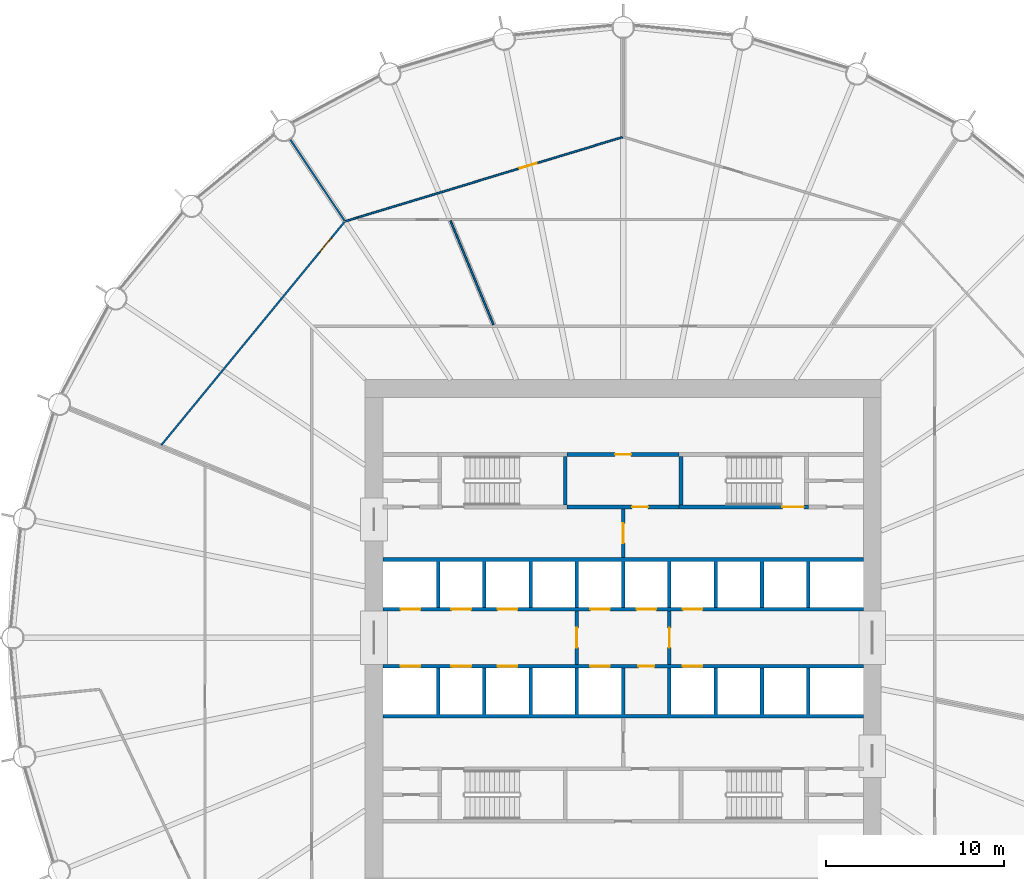
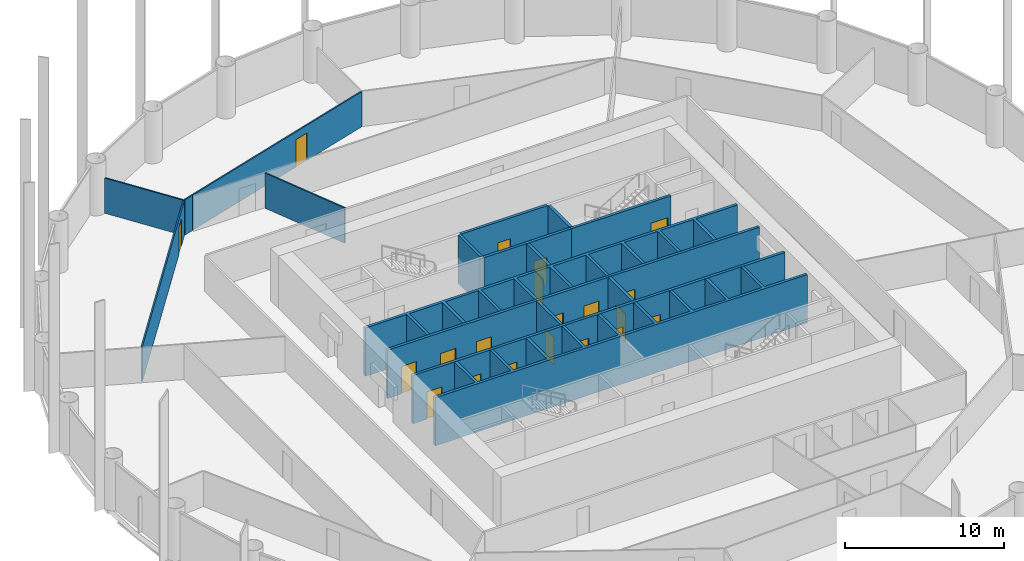
# One storey, part 6 of 10: 20 doors, 17 walls, 20 openings.
"""IFC4 building model written with IfcOpenShell, lengths in metres."""

from ifc_helpers import new_model, si_unit, direction, frame, frame_2d, origin, place, context, subcontext, project, spatial, polyline, rectangle, outline, extrude, material, layer, layer_set, type_object, element, fill, save


model = new_model("IFC4")

# Units and contexts
model_context = context("Model", 3, precision=1e-05, world=origin(), true_north=direction((0.0, 1.0)))
body_context = subcontext(model_context, "Body", "Model", "MODEL_VIEW")
ifc_project = project(units=[si_unit("LENGTHUNIT", "METRE"), si_unit("AREAUNIT", "SQUARE_METRE"), si_unit("VOLUMEUNIT", "CUBIC_METRE"), si_unit("PLANEANGLEUNIT", "RADIAN"), si_unit("MASSUNIT", "GRAM", prefix="KILO")], contexts=[model_context])

# Site, building, storey
site_placement = place(None, origin())
site = spatial("IfcSite", under=ifc_project, at=site_placement, CompositionType="ELEMENT")
building_placement = place(site_placement, origin())
building = spatial("IfcBuilding", under=site, at=building_placement, Name="Corvane Civic Tower", CompositionType="ELEMENT")
storey_placement = place(building_placement, frame((0.0, 0.0, 90.5)))
storey = spatial("IfcBuildingStorey", under=building, at=storey_placement, Name="L20", CompositionType="ELEMENT", Elevation=90.5)

# Wall, openings, doors
ifc_material_1 = material(Name="Concrete C30/37", Category="concrete")
ifc_layer_1 = layer(ifc_material_1, 0.199951171875)
ifc_layer_set_1 = layer_set([ifc_layer_1], Name="Concrete C30/37")
wall_type_1 = type_object("IfcWallType", Name="CR-WALL-200", PredefinedType="PARTITIONING", material=ifc_layer_set_1)
wall_1_placement = place(storey_placement, frame((-13.5, -1.60009765625, 0.0), z_axis=(0.0, 0.0, 1.0), x_axis=(1.0, 0.0, 0.0)))
wall_1 = element("IfcWall", 1, at=wall_1_placement, inside=storey, type_object=wall_type_1, Name="L20 lift shaft wall", PredefinedType="PARTITIONING", context=body_context, shape_type="SweptSolid", body=[
    extrude(rectangle(XDim=27.0, YDim=0.199951171875, at=frame_2d((13.5, 0.0))), origin(), (0.0, 0.0, 1.0), 3.699951171875),
])
opening_1_placement = place(wall_1_placement, frame((1.0, 0.0, 0.0)))
opening_1 = element("IfcOpeningElement", 2, at=opening_1_placement, cuts=wall_1, Name="Opening LD", PredefinedType="OPENING", context=body_context, shape_type="SweptSolid", body=[
    extrude(rectangle(XDim=1.10009765625, YDim=2.10009765625, at=frame_2d((0.550048828125, 1.050048828125))), frame((0.0, 0.10986328125, 0.0), z_axis=(0.0, -1.0, 0.0), x_axis=(1.0, 0.0, 0.0)), (0.0, 0.0, 1.0), 0.219970703125),
])
opening_2_placement = place(wall_1_placement, frame((3.85009765625, 0.0, 0.0)))
opening_2 = element("IfcOpeningElement", 3, at=opening_2_placement, cuts=wall_1, Name="Opening LD", PredefinedType="OPENING", context=body_context, shape_type="SweptSolid", body=[
    extrude(rectangle(XDim=1.10009765625, YDim=2.10009765625, at=frame_2d((0.550048828125, 1.050048828125))), frame((0.0, 0.10986328125, 0.0), z_axis=(0.0, -1.0, 0.0), x_axis=(1.0, 0.0, 0.0)), (0.0, 0.0, 1.0), 0.219970703125),
])
opening_3_placement = place(wall_1_placement, frame((6.449951171875, 0.0, 0.0)))
opening_3 = element("IfcOpeningElement", 4, at=opening_3_placement, cuts=wall_1, Name="Opening LD", PredefinedType="OPENING", context=body_context, shape_type="SweptSolid", body=[
    extrude(rectangle(XDim=1.10009765625, YDim=2.10009765625, at=frame_2d((0.550048828125, 1.050048828125))), frame((0.0, 0.10986328125, 0.0), z_axis=(0.0, -1.0, 0.0), x_axis=(1.0, 0.0, 0.0)), (0.0, 0.0, 1.0), 0.219970703125),
])
opening_4_placement = place(wall_1_placement, frame((11.64990234375, 0.0, 0.0)))
opening_4 = element("IfcOpeningElement", 5, at=opening_4_placement, cuts=wall_1, Name="Opening LD", PredefinedType="OPENING", context=body_context, shape_type="SweptSolid", body=[
    extrude(rectangle(XDim=1.10009765625, YDim=2.10009765625, at=frame_2d((0.550048828125, 1.050048828125))), frame((0.0, 0.10986328125, 0.0), z_axis=(0.0, -1.0, 0.0), x_axis=(1.0, 0.0, 0.0)), (0.0, 0.0, 1.0), 0.219970703125),
])
opening_5_placement = place(wall_1_placement, frame((14.35009765625, 0.0, 0.0)))
opening_5 = element("IfcOpeningElement", 6, at=opening_5_placement, cuts=wall_1, Name="Opening L20.C01", PredefinedType="OPENING", context=body_context, shape_type="SweptSolid", body=[
    extrude(rectangle(XDim=0.89990234375, YDim=2.10009765625, at=frame_2d((0.449951171875, 1.050048828125))), frame((0.0, 0.10986328125, 0.0), z_axis=(0.0, -1.0, 0.0), x_axis=(1.0, 0.0, 0.0)), (0.0, 0.0, 1.0), 0.219970703125),
])
opening_6_placement = place(wall_1_placement, frame((16.85009765625, 0.0, 0.0)))
opening_6 = element("IfcOpeningElement", 7, at=opening_6_placement, cuts=wall_1, Name="Opening LD", PredefinedType="OPENING", context=body_context, shape_type="SweptSolid", body=[
    extrude(rectangle(XDim=1.10009765625, YDim=2.10009765625, at=frame_2d((0.550048828125, 1.050048828125))), frame((0.0, 0.10986328125, 0.0), z_axis=(0.0, -1.0, 0.0), x_axis=(1.0, 0.0, 0.0)), (0.0, 0.0, 1.0), 0.219970703125),
])
ifc_material_2 = material(Name="Steel fire door leaf", Category="steel")
door_type_1 = type_object("IfcDoorType", Name="CR-DOOR-900", OperationType="SINGLE_SWING_LEFT", PredefinedType="DOOR", material=ifc_material_2)
door_1_placement = place(opening_5_placement, origin())
door_1 = element("IfcDoor", 8, at=door_1_placement, inside=storey, type_object=door_type_1, Name="L20 door", OperationType="SINGLE_SWING_LEFT", OverallHeight=2.10009765625, OverallWidth=0.89990234375, PredefinedType="DOOR", context=body_context, shape_type="SweptSolid", body=[
    extrude(rectangle(XDim=0.89990234375, YDim=2.10009765625, at=frame_2d((0.449951171875, 1.050048828125))), frame((0.0, 0.02490234375, 0.0), z_axis=(0.0, -1.0, 0.0), x_axis=(1.0, 0.0, 0.0)), (0.0, 0.0, 1.0), 0.050048828125),
])
fill(opening_5, door_1)
ifc_material_3 = material(Name="Stainless steel 316 door leaves", Category="steel")
door_type_2 = type_object("IfcDoorType", Name="LD", OperationType="DOUBLE_DOOR_SLIDING", PredefinedType="DOOR", material=ifc_material_3)
door_2_placement = place(opening_1_placement, origin())
door_2 = element("IfcDoor", 9, at=door_2_placement, inside=storey, type_object=door_type_2, Name="L20 landing door", OperationType="DOUBLE_DOOR_SLIDING", OverallHeight=2.10009765625, OverallWidth=1.10009765625, PredefinedType="DOOR", context=body_context, shape_type="SweptSolid", body=[
    extrude(rectangle(XDim=1.10009765625, YDim=2.10009765625, at=frame_2d((0.550048828125, 1.050048828125))), frame((0.0, 0.02490234375, 0.0), z_axis=(0.0, -1.0, 0.0), x_axis=(1.0, 0.0, 0.0)), (0.0, 0.0, 1.0), 0.050048828125),
])
fill(opening_1, door_2)
door_3_placement = place(opening_2_placement, origin())
door_3 = element("IfcDoor", 10, at=door_3_placement, inside=storey, type_object=door_type_2, Name="L20 landing door", OperationType="DOUBLE_DOOR_SLIDING", OverallHeight=2.10009765625, OverallWidth=1.10009765625, PredefinedType="DOOR", context=body_context, shape_type="SweptSolid", body=[
    extrude(rectangle(XDim=1.10009765625, YDim=2.10009765625, at=frame_2d((0.550048828125, 1.050048828125))), frame((0.0, 0.02490234375, 0.0), z_axis=(0.0, -1.0, 0.0), x_axis=(1.0, 0.0, 0.0)), (0.0, 0.0, 1.0), 0.050048828125),
])
fill(opening_2, door_3)
door_4_placement = place(opening_3_placement, origin())
door_4 = element("IfcDoor", 11, at=door_4_placement, inside=storey, type_object=door_type_2, Name="L20 landing door", OperationType="DOUBLE_DOOR_SLIDING", OverallHeight=2.10009765625, OverallWidth=1.10009765625, PredefinedType="DOOR", context=body_context, shape_type="SweptSolid", body=[
    extrude(rectangle(XDim=1.10009765625, YDim=2.10009765625, at=frame_2d((0.550048828125, 1.050048828125))), frame((0.0, 0.02490234375, 0.0), z_axis=(0.0, -1.0, 0.0), x_axis=(1.0, 0.0, 0.0)), (0.0, 0.0, 1.0), 0.050048828125),
])
fill(opening_3, door_4)
door_5_placement = place(opening_4_placement, origin())
door_5 = element("IfcDoor", 12, at=door_5_placement, inside=storey, type_object=door_type_2, Name="L20 landing door", OperationType="DOUBLE_DOOR_SLIDING", OverallHeight=2.10009765625, OverallWidth=1.10009765625, PredefinedType="DOOR", context=body_context, shape_type="SweptSolid", body=[
    extrude(rectangle(XDim=1.10009765625, YDim=2.10009765625, at=frame_2d((0.550048828125, 1.050048828125))), frame((0.0, 0.02490234375, 0.0), z_axis=(0.0, -1.0, 0.0), x_axis=(1.0, 0.0, 0.0)), (0.0, 0.0, 1.0), 0.050048828125),
])
fill(opening_4, door_5)
door_6_placement = place(opening_6_placement, origin())
door_6 = element("IfcDoor", 13, at=door_6_placement, inside=storey, type_object=door_type_2, Name="L20 landing door", OperationType="DOUBLE_DOOR_SLIDING", OverallHeight=2.10009765625, OverallWidth=1.10009765625, PredefinedType="DOOR", context=body_context, shape_type="SweptSolid", body=[
    extrude(rectangle(XDim=1.10009765625, YDim=2.10009765625, at=frame_2d((0.550048828125, 1.050048828125))), frame((0.0, 0.02490234375, 0.0), z_axis=(0.0, -1.0, 0.0), x_axis=(1.0, 0.0, 0.0)), (0.0, 0.0, 1.0), 0.050048828125),
])
fill(opening_6, door_6)

wall_2_placement = place(storey_placement, frame((-13.5, 1.60009765625, 0.0), z_axis=(0.0, 0.0, 1.0), x_axis=(1.0, 0.0, 0.0)))
wall_2 = element("IfcWall", 14, at=wall_2_placement, inside=storey, type_object=wall_type_1, Name="L20 lift shaft wall", PredefinedType="PARTITIONING", context=body_context, shape_type="SweptSolid", body=[
    extrude(rectangle(XDim=27.0, YDim=0.199951171875, at=frame_2d((13.5, 0.0))), origin(), (0.0, 0.0, 1.0), 3.699951171875),
])
opening_7_placement = place(wall_2_placement, frame((1.0, 0.0, 0.0)))
opening_7 = element("IfcOpeningElement", 15, at=opening_7_placement, cuts=wall_2, Name="Opening LD", PredefinedType="OPENING", context=body_context, shape_type="SweptSolid", body=[
    extrude(rectangle(XDim=1.10009765625, YDim=2.10009765625, at=frame_2d((0.550048828125, 1.050048828125))), frame((0.0, 0.10986328125, 0.0), z_axis=(0.0, -1.0, 0.0), x_axis=(1.0, 0.0, 0.0)), (0.0, 0.0, 1.0), 0.219970703125),
])
opening_8_placement = place(wall_2_placement, frame((3.85009765625, 0.0, 0.0)))
opening_8 = element("IfcOpeningElement", 16, at=opening_8_placement, cuts=wall_2, Name="Opening LD", PredefinedType="OPENING", context=body_context, shape_type="SweptSolid", body=[
    extrude(rectangle(XDim=1.10009765625, YDim=2.10009765625, at=frame_2d((0.550048828125, 1.050048828125))), frame((0.0, 0.10986328125, 0.0), z_axis=(0.0, -1.0, 0.0), x_axis=(1.0, 0.0, 0.0)), (0.0, 0.0, 1.0), 0.219970703125),
])
opening_9_placement = place(wall_2_placement, frame((6.449951171875, 0.0, 0.0)))
opening_9 = element("IfcOpeningElement", 17, at=opening_9_placement, cuts=wall_2, Name="Opening LD", PredefinedType="OPENING", context=body_context, shape_type="SweptSolid", body=[
    extrude(rectangle(XDim=1.10009765625, YDim=2.10009765625, at=frame_2d((0.550048828125, 1.050048828125))), frame((0.0, 0.10986328125, 0.0), z_axis=(0.0, -1.0, 0.0), x_axis=(1.0, 0.0, 0.0)), (0.0, 0.0, 1.0), 0.219970703125),
])
opening_10_placement = place(wall_2_placement, frame((11.64990234375, 0.0, 0.0)))
opening_10 = element("IfcOpeningElement", 18, at=opening_10_placement, cuts=wall_2, Name="Opening LD", PredefinedType="OPENING", context=body_context, shape_type="SweptSolid", body=[
    extrude(rectangle(XDim=1.10009765625, YDim=2.10009765625, at=frame_2d((0.550048828125, 1.050048828125))), frame((0.0, 0.10986328125, 0.0), z_axis=(0.0, -1.0, 0.0), x_axis=(1.0, 0.0, 0.0)), (0.0, 0.0, 1.0), 0.219970703125),
])
opening_11_placement = place(wall_2_placement, frame((14.25, 0.0, 0.0)))
opening_11 = element("IfcOpeningElement", 19, at=opening_11_placement, cuts=wall_2, Name="Opening LD", PredefinedType="OPENING", context=body_context, shape_type="SweptSolid", body=[
    extrude(rectangle(XDim=1.10009765625, YDim=2.10009765625, at=frame_2d((0.550048828125, 1.050048828125))), frame((0.0, 0.10986328125, 0.0), z_axis=(0.0, -1.0, 0.0), x_axis=(1.0, 0.0, 0.0)), (0.0, 0.0, 1.0), 0.219970703125),
])
opening_12_placement = place(wall_2_placement, frame((16.85009765625, 0.0, 0.0)))
opening_12 = element("IfcOpeningElement", 20, at=opening_12_placement, cuts=wall_2, Name="Opening LD", PredefinedType="OPENING", context=body_context, shape_type="SweptSolid", body=[
    extrude(rectangle(XDim=1.10009765625, YDim=2.10009765625, at=frame_2d((0.550048828125, 1.050048828125))), frame((0.0, 0.10986328125, 0.0), z_axis=(0.0, -1.0, 0.0), x_axis=(1.0, 0.0, 0.0)), (0.0, 0.0, 1.0), 0.219970703125),
])
door_7_placement = place(opening_7_placement, origin())
door_7 = element("IfcDoor", 21, at=door_7_placement, inside=storey, type_object=door_type_2, Name="L20 landing door", OperationType="DOUBLE_DOOR_SLIDING", OverallHeight=2.10009765625, OverallWidth=1.10009765625, PredefinedType="DOOR", context=body_context, shape_type="SweptSolid", body=[
    extrude(rectangle(XDim=1.10009765625, YDim=2.10009765625, at=frame_2d((0.550048828125, 1.050048828125))), frame((0.0, 0.02490234375, 0.0), z_axis=(0.0, -1.0, 0.0), x_axis=(1.0, 0.0, 0.0)), (0.0, 0.0, 1.0), 0.050048828125),
])
fill(opening_7, door_7)
door_8_placement = place(opening_8_placement, origin())
door_8 = element("IfcDoor", 22, at=door_8_placement, inside=storey, type_object=door_type_2, Name="L20 landing door", OperationType="DOUBLE_DOOR_SLIDING", OverallHeight=2.10009765625, OverallWidth=1.10009765625, PredefinedType="DOOR", context=body_context, shape_type="SweptSolid", body=[
    extrude(rectangle(XDim=1.10009765625, YDim=2.10009765625, at=frame_2d((0.550048828125, 1.050048828125))), frame((0.0, 0.02490234375, 0.0), z_axis=(0.0, -1.0, 0.0), x_axis=(1.0, 0.0, 0.0)), (0.0, 0.0, 1.0), 0.050048828125),
])
fill(opening_8, door_8)
door_9_placement = place(opening_9_placement, origin())
door_9 = element("IfcDoor", 23, at=door_9_placement, inside=storey, type_object=door_type_2, Name="L20 landing door", OperationType="DOUBLE_DOOR_SLIDING", OverallHeight=2.10009765625, OverallWidth=1.10009765625, PredefinedType="DOOR", context=body_context, shape_type="SweptSolid", body=[
    extrude(rectangle(XDim=1.10009765625, YDim=2.10009765625, at=frame_2d((0.550048828125, 1.050048828125))), frame((0.0, 0.02490234375, 0.0), z_axis=(0.0, -1.0, 0.0), x_axis=(1.0, 0.0, 0.0)), (0.0, 0.0, 1.0), 0.050048828125),
])
fill(opening_9, door_9)
door_10_placement = place(opening_10_placement, origin())
door_10 = element("IfcDoor", 24, at=door_10_placement, inside=storey, type_object=door_type_2, Name="L20 landing door", OperationType="DOUBLE_DOOR_SLIDING", OverallHeight=2.10009765625, OverallWidth=1.10009765625, PredefinedType="DOOR", context=body_context, shape_type="SweptSolid", body=[
    extrude(rectangle(XDim=1.10009765625, YDim=2.10009765625, at=frame_2d((0.550048828125, 1.050048828125))), frame((0.0, 0.02490234375, 0.0), z_axis=(0.0, -1.0, 0.0), x_axis=(1.0, 0.0, 0.0)), (0.0, 0.0, 1.0), 0.050048828125),
])
fill(opening_10, door_10)
door_11_placement = place(opening_11_placement, origin())
door_11 = element("IfcDoor", 25, at=door_11_placement, inside=storey, type_object=door_type_2, Name="L20 landing door", OperationType="DOUBLE_DOOR_SLIDING", OverallHeight=2.10009765625, OverallWidth=1.10009765625, PredefinedType="DOOR", context=body_context, shape_type="SweptSolid", body=[
    extrude(rectangle(XDim=1.10009765625, YDim=2.10009765625, at=frame_2d((0.550048828125, 1.050048828125))), frame((0.0, 0.02490234375, 0.0), z_axis=(0.0, -1.0, 0.0), x_axis=(1.0, 0.0, 0.0)), (0.0, 0.0, 1.0), 0.050048828125),
])
fill(opening_11, door_11)
door_12_placement = place(opening_12_placement, origin())
door_12 = element("IfcDoor", 26, at=door_12_placement, inside=storey, type_object=door_type_2, Name="L20 landing door", OperationType="DOUBLE_DOOR_SLIDING", OverallHeight=2.10009765625, OverallWidth=1.10009765625, PredefinedType="DOOR", context=body_context, shape_type="SweptSolid", body=[
    extrude(rectangle(XDim=1.10009765625, YDim=2.10009765625, at=frame_2d((0.550048828125, 1.050048828125))), frame((0.0, 0.02490234375, 0.0), z_axis=(0.0, -1.0, 0.0), x_axis=(1.0, 0.0, 0.0)), (0.0, 0.0, 1.0), 0.050048828125),
])
fill(opening_12, door_12)

# Wall, opening, door
wall_3_placement = place(storey_placement, frame((-3.14990234375, 7.35009765625, 0.0), z_axis=(0.0, 0.0, 1.0), x_axis=(1.0, 0.0, 0.0)))
wall_3 = element("IfcWall", 27, at=wall_3_placement, inside=storey, type_object=wall_type_1, Name="L20 partition wall", PredefinedType="PARTITIONING", context=body_context, shape_type="SweptSolid", body=[
    extrude(rectangle(XDim=6.2998046875, YDim=0.199951171875, at=frame_2d((3.14990234375, 0.0))), origin(), (0.0, 0.0, 1.0), 3.699951171875),
])
opening_13_placement = place(wall_3_placement, frame((3.64990234375, 0.0, 0.0)))
opening_13 = element("IfcOpeningElement", 28, at=opening_13_placement, cuts=wall_3, Name="Opening L20.C02", PredefinedType="OPENING", context=body_context, shape_type="SweptSolid", body=[
    extrude(rectangle(XDim=0.89990234375, YDim=2.10009765625, at=frame_2d((0.449951171875, 1.050048828125))), frame((0.0, 0.10986328125, 0.0), z_axis=(0.0, -1.0, 0.0), x_axis=(1.0, 0.0, 0.0)), (0.0, 0.0, 1.0), 0.219970703125),
])
door_13_placement = place(opening_13_placement, origin())
door_13 = element("IfcDoor", 29, at=door_13_placement, inside=storey, type_object=door_type_1, Name="L20 door", OperationType="SINGLE_SWING_LEFT", OverallHeight=2.10009765625, OverallWidth=0.89990234375, PredefinedType="DOOR", context=body_context, shape_type="SweptSolid", body=[
    extrude(rectangle(XDim=0.89990234375, YDim=2.10009765625, at=frame_2d((0.449951171875, 1.050048828125))), frame((0.0, 0.02490234375, 0.0), z_axis=(0.0, -1.0, 0.0), x_axis=(1.0, 0.0, 0.0)), (0.0, 0.0, 1.0), 0.050048828125),
])
fill(opening_13, door_13)

wall_4_placement = place(storey_placement, frame((-3.14990234375, 10.300048828125, 0.0), z_axis=(0.0, 0.0, 1.0), x_axis=(1.0, 0.0, 0.0)))
wall_4 = element("IfcWall", 30, at=wall_4_placement, inside=storey, type_object=wall_type_1, Name="L20 partition wall", PredefinedType="PARTITIONING", context=body_context, shape_type="SweptSolid", body=[
    extrude(rectangle(XDim=6.2998046875, YDim=0.199951171875, at=frame_2d((3.14990234375, 0.0))), origin(), (0.0, 0.0, 1.0), 3.699951171875),
])
opening_14_placement = place(wall_4_placement, frame((2.699951171875, 0.0, 0.0)))
opening_14 = element("IfcOpeningElement", 31, at=opening_14_placement, cuts=wall_4, Name="Opening L20.C04", PredefinedType="OPENING", context=body_context, shape_type="SweptSolid", body=[
    extrude(rectangle(XDim=0.89990234375, YDim=2.10009765625, at=frame_2d((0.449951171875, 1.050048828125))), frame((0.0, 0.10986328125, 0.0), z_axis=(0.0, -1.0, 0.0), x_axis=(1.0, 0.0, 0.0)), (0.0, 0.0, 1.0), 0.219970703125),
])
door_14_placement = place(opening_14_placement, origin())
door_14 = element("IfcDoor", 32, at=door_14_placement, inside=storey, type_object=door_type_1, Name="L20 door", OperationType="SINGLE_SWING_LEFT", OverallHeight=2.10009765625, OverallWidth=0.89990234375, PredefinedType="DOOR", context=body_context, shape_type="SweptSolid", body=[
    extrude(rectangle(XDim=0.89990234375, YDim=2.10009765625, at=frame_2d((0.449951171875, 1.050048828125))), frame((0.0, 0.02490234375, 0.0), z_axis=(0.0, -1.0, 0.0), x_axis=(1.0, 0.0, 0.0)), (0.0, 0.0, 1.0), 0.050048828125),
])
fill(opening_14, door_14)

wall_5_placement = place(storey_placement, frame((-2.60009765625, -1.5, 0.0), z_axis=(0.0, 0.0, 1.0), x_axis=(0.0, 1.0, 0.0)))
wall_5 = element("IfcWall", 33, at=wall_5_placement, inside=storey, type_object=wall_type_1, Name="L20 firefighting lobby wall", PredefinedType="PARTITIONING", context=body_context, shape_type="SweptSolid", body=[
    extrude(rectangle(XDim=3.0, YDim=0.199951171875, at=frame_2d((1.5, 0.0))), origin(), (0.0, 0.0, 1.0), 3.699951171875),
])
opening_15_placement = place(wall_5_placement, frame((0.949951171875, 0.0, 0.0)))
opening_15 = element("IfcOpeningElement", 34, at=opening_15_placement, cuts=wall_5, Name="Opening L20.C18", PredefinedType="OPENING", context=body_context, shape_type="SweptSolid", body=[
    extrude(rectangle(XDim=1.10009765625, YDim=2.10009765625, at=frame_2d((0.550048828125, 1.050048828125))), frame((0.0, 0.10986328125, 0.0), z_axis=(0.0, -1.0, 0.0), x_axis=(1.0, 0.0, 0.0)), (0.0, 0.0, 1.0), 0.219970703125),
])
ifc_material_4 = material(Name="Steel fire door leaf", Category="steel")
door_type_3 = type_object("IfcDoorType", Name="CR-DOOR-FFL-1100", OperationType="SINGLE_SWING_LEFT", PredefinedType="DOOR", material=ifc_material_4)
door_15_placement = place(opening_15_placement, origin())
door_15 = element("IfcDoor", 35, at=door_15_placement, inside=storey, type_object=door_type_3, Name="L20 lobby door", OperationType="SINGLE_SWING_LEFT", OverallHeight=2.10009765625, OverallWidth=1.10009765625, PredefinedType="DOOR", context=body_context, shape_type="SweptSolid", body=[
    extrude(rectangle(XDim=1.10009765625, YDim=2.10009765625, at=frame_2d((0.550048828125, 1.050048828125))), frame((0.0, 0.02490234375, 0.0), z_axis=(0.0, -1.0, 0.0), x_axis=(1.0, 0.0, 0.0)), (0.0, 0.0, 1.0), 0.050048828125),
])
fill(opening_15, door_15)

wall_6_placement = place(storey_placement, frame((0.0, 4.5, 0.0), z_axis=(0.0, 0.0, 1.0), x_axis=(0.0, 1.0, 0.0)))
wall_6 = element("IfcWall", 36, at=wall_6_placement, inside=storey, type_object=wall_type_1, Name="L20 core partition wall", PredefinedType="PARTITIONING", context=body_context, shape_type="SweptSolid", body=[
    extrude(rectangle(XDim=2.75, YDim=0.199951171875, at=frame_2d((1.375, 0.0))), origin(), (0.0, 0.0, 1.0), 3.699951171875),
])
opening_16_placement = place(wall_6_placement, frame((0.824951171875, 0.0, 0.0)))
opening_16 = element("IfcOpeningElement", 37, at=opening_16_placement, cuts=wall_6, Name="Opening L20.C20", PredefinedType="OPENING", context=body_context, shape_type="SweptSolid", body=[
    extrude(rectangle(XDim=1.10009765625, YDim=2.10009765625, at=frame_2d((0.550048828125, 1.050048828125))), frame((0.0, 0.10986328125, 0.0), z_axis=(0.0, -1.0, 0.0), x_axis=(1.0, 0.0, 0.0)), (0.0, 0.0, 1.0), 0.219970703125),
])
door_16_placement = place(opening_16_placement, origin())
door_16 = element("IfcDoor", 38, at=door_16_placement, inside=storey, type_object=door_type_3, Name="L20 lobby door", OperationType="SINGLE_SWING_LEFT", OverallHeight=2.10009765625, OverallWidth=1.10009765625, PredefinedType="DOOR", context=body_context, shape_type="SweptSolid", body=[
    extrude(rectangle(XDim=1.10009765625, YDim=2.10009765625, at=frame_2d((0.550048828125, 1.050048828125))), frame((0.0, 0.02490234375, 0.0), z_axis=(0.0, -1.0, 0.0), x_axis=(1.0, 0.0, 0.0)), (0.0, 0.0, 1.0), 0.050048828125),
])
fill(opening_16, door_16)

wall_7_placement = place(storey_placement, frame((2.60009765625, -1.5, 0.0), z_axis=(0.0, 0.0, 1.0), x_axis=(0.0, 1.0, 0.0)))
wall_7 = element("IfcWall", 39, at=wall_7_placement, inside=storey, type_object=wall_type_1, Name="L20 firefighting lobby wall", PredefinedType="PARTITIONING", context=body_context, shape_type="SweptSolid", body=[
    extrude(rectangle(XDim=3.0, YDim=0.199951171875, at=frame_2d((1.5, 0.0))), origin(), (0.0, 0.0, 1.0), 3.699951171875),
])
opening_17_placement = place(wall_7_placement, frame((0.949951171875, 0.0, 0.0)))
opening_17 = element("IfcOpeningElement", 40, at=opening_17_placement, cuts=wall_7, Name="Opening L20.C19", PredefinedType="OPENING", context=body_context, shape_type="SweptSolid", body=[
    extrude(rectangle(XDim=1.10009765625, YDim=2.10009765625, at=frame_2d((0.550048828125, 1.050048828125))), frame((0.0, 0.10986328125, 0.0), z_axis=(0.0, -1.0, 0.0), x_axis=(1.0, 0.0, 0.0)), (0.0, 0.0, 1.0), 0.219970703125),
])
door_17_placement = place(opening_17_placement, origin())
door_17 = element("IfcDoor", 41, at=door_17_placement, inside=storey, type_object=door_type_3, Name="L20 lobby door", OperationType="SINGLE_SWING_LEFT", OverallHeight=2.10009765625, OverallWidth=1.10009765625, PredefinedType="DOOR", context=body_context, shape_type="SweptSolid", body=[
    extrude(rectangle(XDim=1.10009765625, YDim=2.10009765625, at=frame_2d((0.550048828125, 1.050048828125))), frame((0.0, 0.02490234375, 0.0), z_axis=(0.0, -1.0, 0.0), x_axis=(1.0, 0.0, 0.0)), (0.0, 0.0, 1.0), 0.050048828125),
])
fill(opening_17, door_17)

# Walls
wall_8_placement = place(storey_placement, origin())
element("IfcWall", 42, at=wall_8_placement, inside=storey, type_object=wall_type_1, Name="L20 core partition wall", PredefinedType="PARTITIONING", context=body_context, shape_type="SweptSolid", body=[
    extrude(outline(polyline([(-10.5, -1.699951171875), (-10.300048828125, -1.699951171875), (-10.300048828125, -4.300048828125), (-7.89990234375, -4.300048828125), (-7.89990234375, -1.699951171875), (-7.699951171875, -1.699951171875), (-7.699951171875, -4.300048828125), (-5.300048828125, -4.300048828125), (-5.300048828125, -1.699951171875), (-5.10009765625, -1.699951171875), (-5.10009765625, -4.300048828125), (-2.699951171875, -4.300048828125), (-2.699951171875, -1.699951171875), (-2.5, -1.699951171875), (-2.5, -4.300048828125), (-0.10009765625, -4.300048828125), (-0.10009765625, -1.699951171875), (0.10009765625, -1.699951171875), (0.10009765625, -4.300048828125), (2.5, -4.300048828125), (2.5, -1.699951171875), (2.699951171875, -1.699951171875), (2.699951171875, -4.300048828125), (5.10009765625, -4.300048828125), (5.10009765625, -1.699951171875), (5.300048828125, -1.699951171875), (5.300048828125, -4.300048828125), (7.699951171875, -4.300048828125), (7.699951171875, -1.699951171875), (7.89990234375, -1.699951171875), (7.89990234375, -4.300048828125), (10.300048828125, -4.300048828125), (10.300048828125, -1.699951171875), (10.5, -1.699951171875), (10.5, -4.300048828125), (13.5, -4.300048828125), (13.5, -4.5), (-13.5, -4.5), (-13.5, -4.300048828125), (-10.5, -4.300048828125), (-10.5, -1.699951171875)])), origin(), (0.0, 0.0, 1.0), 3.699951171875),
])
wall_9_placement = place(storey_placement, origin())
element("IfcWall", 43, at=wall_9_placement, inside=storey, type_object=wall_type_1, Name="L20 core partition wall", PredefinedType="PARTITIONING", context=body_context, shape_type="SweptSolid", body=[
    extrude(outline(polyline([(-7.699951171875, 4.300048828125), (-7.699951171875, 1.699951171875), (-7.89990234375, 1.699951171875), (-7.89990234375, 4.300048828125), (-10.300048828125, 4.300048828125), (-10.300048828125, 1.699951171875), (-10.5, 1.699951171875), (-10.5, 4.300048828125), (-13.5, 4.300048828125), (-13.5, 4.5), (13.5, 4.5), (13.5, 4.300048828125), (10.5, 4.300048828125), (10.5, 1.699951171875), (10.300048828125, 1.699951171875), (10.300048828125, 4.300048828125), (7.89990234375, 4.300048828125), (7.89990234375, 1.699951171875), (7.699951171875, 1.699951171875), (7.699951171875, 4.300048828125), (5.300048828125, 4.300048828125), (5.300048828125, 1.699951171875), (5.10009765625, 1.699951171875), (5.10009765625, 4.300048828125), (2.699951171875, 4.300048828125), (2.699951171875, 1.699951171875), (2.5, 1.699951171875), (2.5, 4.300048828125), (0.10009765625, 4.300048828125), (0.10009765625, 1.699951171875), (-0.10009765625, 1.699951171875), (-0.10009765625, 4.300048828125), (-2.5, 4.300048828125), (-2.5, 1.699951171875), (-2.699951171875, 1.699951171875), (-2.699951171875, 4.300048828125), (-5.10009765625, 4.300048828125), (-5.10009765625, 1.699951171875), (-5.300048828125, 1.699951171875), (-5.300048828125, 4.300048828125), (-7.699951171875, 4.300048828125)])), origin(), (0.0, 0.0, 1.0), 3.699951171875),
])

# Wall, opening, door
ifc_material_5 = material(Name="Plasterboard")
ifc_layer_2 = layer(ifc_material_5, 0.10009765625)
ifc_layer_set_2 = layer_set([ifc_layer_2], Name="Plasterboard")
wall_type_2 = type_object("IfcWallType", Name="Partition 100 plasterboard on studs", PredefinedType="PARTITIONING", material=ifc_layer_set_2)
wall_10_placement = place(storey_placement, frame((-25.95751953125, 10.82177734375, 0.0), z_axis=(0.0, 0.0, 1.0), x_axis=(0.634388510602, 0.773014370899, 0.0)))
wall_10 = element("IfcWall", 44, at=wall_10_placement, inside=storey, type_object=wall_type_2, Name="Partition L20.026", PredefinedType="PARTITIONING", context=body_context, shape_type="SweptSolid", body=[
    extrude(rectangle(XDim=16.234375, YDim=0.10009765625, at=frame_2d((8.1171875, 0.0))), origin(), (0.0, 0.0, 1.0), 2.699951171875),
])
opening_18_placement = place(wall_10_placement, frame((14.042724609375, 0.0, 0.0)))
opening_18 = element("IfcOpeningElement", 45, at=opening_18_placement, cuts=wall_10, Name="Opening L20.004", PredefinedType="OPENING", context=body_context, shape_type="SweptSolid", body=[
    extrude(rectangle(XDim=1.0, YDim=2.10009765625, at=frame_2d((0.5, 1.050048828125))), frame((0.0, 0.06005859375, 0.0), z_axis=(0.0, -1.0, 0.0), x_axis=(1.0, 0.0, 0.0)), (0.0, 0.0, 1.0), 0.1201171875),
])
ifc_material_6 = material(Name="Timber", Category="wood")
door_type_4 = type_object("IfcDoorType", Name="Single door 1000", OperationType="NOTDEFINED", PredefinedType="DOOR", material=ifc_material_6)
door_18_placement = place(opening_18_placement, origin())
door_18 = element("IfcDoor", 46, at=door_18_placement, inside=storey, type_object=door_type_4, Name="Door L20.004", OperationType="SINGLE_SWING_LEFT", OverallHeight=2.10009765625, OverallWidth=1.0, PredefinedType="DOOR", context=body_context, shape_type="SweptSolid", body=[
    extrude(rectangle(XDim=1.0, YDim=2.10009765625, at=frame_2d((0.5, 1.050048828125))), frame((0.0, 0.02490234375, 0.0), z_axis=(0.0, -1.0, 0.0), x_axis=(1.0, 0.0, 0.0)), (0.0, 0.0, 1.0), 0.050048828125),
])
fill(opening_18, door_18)

# Walls
wall_11_placement = place(storey_placement, frame((-9.705322265625, 23.430908203125, 0.0), z_axis=(0.0, 0.0, 1.0), x_axis=(0.382682843627, -0.923879776374, 0.0)))
element("IfcWall", 47, at=wall_11_placement, inside=storey, type_object=wall_type_2, Name="Partition L20.030", PredefinedType="PARTITIONING", context=body_context, shape_type="SweptSolid", body=[
    extrude(rectangle(XDim=6.31787109375, YDim=0.10009765625, at=frame_2d((3.158935546875, 0.0))), origin(), (0.0, 0.0, 1.0), 2.699951171875),
])
wall_12_placement = place(storey_placement, frame((-15.599609375, 23.410400390625, 0.0), z_axis=(0.0, 0.0, 1.0), x_axis=(0.956940377222, 0.290284540481, 0.0)))
element("IfcWall", 48, at=wall_12_placement, inside=storey, type_object=wall_type_2, Name="Partition L20.032", PredefinedType="PARTITIONING", context=body_context, shape_type="SweptSolid", body=[
    extrude(rectangle(XDim=0.708984375, YDim=0.10009765625, at=frame_2d((0.3544921875, 0.0))), origin(), (0.0, 0.0, 1.0), 2.699951171875),
])
wall_13_placement = place(storey_placement, frame((-18.703369140625, 27.991455078125, 0.0), z_axis=(0.0, 0.0, 1.0), x_axis=(0.555572900279, -0.83146783009, 0.0)))
element("IfcWall", 49, at=wall_13_placement, inside=storey, type_object=wall_type_2, Name="Partition L20.034", PredefinedType="PARTITIONING", context=body_context, shape_type="SweptSolid", body=[
    extrude(rectangle(XDim=5.485595703125, YDim=0.10009765625, at=frame_2d((2.74267578125, 0.0))), origin(), (0.0, 0.0, 1.0), 2.699951171875),
])

# Wall, opening, door
wall_14_placement = place(storey_placement, frame((-14.921142578125, 23.6162109375, 0.0), z_axis=(0.0, 0.0, 1.0), x_axis=(0.956938827211, 0.290289650136, 0.0)))
wall_14 = element("IfcWall", 50, at=wall_14_placement, inside=storey, type_object=wall_type_2, Name="Partition L20.036", PredefinedType="PARTITIONING", context=body_context, shape_type="SweptSolid", body=[
    extrude(rectangle(XDim=15.5556640625, YDim=0.10009765625, at=frame_2d((7.77783203125, 0.0))), origin(), (0.0, 0.0, 1.0), 2.699951171875),
])
opening_19_placement = place(wall_14_placement, frame((9.510009765625, 0.0, 0.0)))
opening_19 = element("IfcOpeningElement", 51, at=opening_19_placement, cuts=wall_14, Name="Opening L20.005", PredefinedType="OPENING", context=body_context, shape_type="SweptSolid", body=[
    extrude(rectangle(XDim=1.0, YDim=2.10009765625, at=frame_2d((0.5, 1.050048828125))), frame((0.0, 0.06005859375, 0.0), z_axis=(0.0, -1.0, 0.0), x_axis=(1.0, 0.0, 0.0)), (0.0, 0.0, 1.0), 0.1201171875),
])
door_19_placement = place(opening_19_placement, origin())
door_19 = element("IfcDoor", 52, at=door_19_placement, inside=storey, type_object=door_type_4, Name="Door L20.005", OperationType="SINGLE_SWING_LEFT", OverallHeight=2.10009765625, OverallWidth=1.0, PredefinedType="DOOR", context=body_context, shape_type="SweptSolid", body=[
    extrude(rectangle(XDim=1.0, YDim=2.10009765625, at=frame_2d((0.5, 1.050048828125))), frame((0.0, 0.02490234375, 0.0), z_axis=(0.0, -1.0, 0.0), x_axis=(1.0, 0.0, 0.0)), (0.0, 0.0, 1.0), 0.050048828125),
])
fill(opening_19, door_19)

ifc_material_7 = material(Name="Concrete C50/60", Category="concrete")
ifc_layer_3 = layer(ifc_material_7, 0.199951171875)
ifc_layer_set_3 = layer_set([ifc_layer_3], Name="Concrete C50/60")
wall_type_3 = type_object("IfcWallType", Name="ST-WALL-200", PredefinedType="SHEAR", material=ifc_layer_set_3)
wall_15_placement = place(storey_placement, frame((3.14990234375, 7.35009765625, 0.0), z_axis=(0.0, 0.0, 1.0), x_axis=(1.0, 0.0, 0.0)))
wall_15 = element("IfcWall", 53, at=wall_15_placement, inside=storey, type_object=wall_type_3, Name="L20 stair enclosure wall", PredefinedType="SHEAR", context=body_context, shape_type="SweptSolid", body=[
    extrude(rectangle(XDim=7.25, YDim=0.199951171875, at=frame_2d((3.625, 0.0))), origin(), (0.0, 0.0, 1.0), 3.699951171875),
])
opening_20_placement = place(wall_15_placement, frame((5.800048828125, 0.0, 0.0)))
opening_20 = element("IfcOpeningElement", 54, at=opening_20_placement, cuts=wall_15, Name="Opening L20.C14", PredefinedType="OPENING", context=body_context, shape_type="SweptSolid", body=[
    extrude(rectangle(XDim=1.199951171875, YDim=2.10009765625, at=frame_2d((0.60009765625, 1.050048828125))), frame((0.0, 0.10986328125, 0.0), z_axis=(0.0, -1.0, 0.0), x_axis=(1.0, 0.0, 0.0)), (0.0, 0.0, 1.0), 0.219970703125),
])
ifc_material_8 = material(Name="Steel fire door leaf", Category="steel")
door_type_5 = type_object("IfcDoorType", Name="ST-DOOR-1200", OperationType="SINGLE_SWING_RIGHT", PredefinedType="DOOR", material=ifc_material_8)
door_20_placement = place(opening_20_placement, origin())
door_20 = element("IfcDoor", 55, at=door_20_placement, inside=storey, type_object=door_type_5, Name="L20 stair door", OperationType="SINGLE_SWING_RIGHT", OverallHeight=2.10009765625, OverallWidth=1.199951171875, PredefinedType="DOOR", context=body_context, shape_type="SweptSolid", body=[
    extrude(rectangle(XDim=1.199951171875, YDim=2.10009765625, at=frame_2d((0.60009765625, 1.050048828125))), frame((0.0, 0.02490234375, 0.0), z_axis=(0.0, -1.0, 0.0), x_axis=(1.0, 0.0, 0.0)), (0.0, 0.0, 1.0), 0.050048828125),
])
fill(opening_20, door_20)

# Walls
wall_16_placement = place(storey_placement, origin())
element("IfcWall", 56, at=wall_16_placement, inside=storey, type_object=wall_type_3, Name="L20 stair enclosure wall", PredefinedType="SHEAR", context=body_context, shape_type="SweptSolid", body=[
    extrude(outline(polyline([(-3.14990234375, 7.449951171875), (-3.35009765625, 7.449951171875), (-3.35009765625, 10.199951171875), (-3.14990234375, 10.199951171875), (-3.14990234375, 7.449951171875)])), origin(), (0.0, 0.0, 1.0), 3.699951171875),
])
wall_17_placement = place(storey_placement, origin())
element("IfcWall", 57, at=wall_17_placement, inside=storey, type_object=wall_type_3, Name="L20 stair enclosure wall", PredefinedType="SHEAR", context=body_context, shape_type="SweptSolid", body=[
    extrude(outline(polyline([(3.35009765625, 7.449951171875), (3.14990234375, 7.449951171875), (3.14990234375, 10.199951171875), (3.35009765625, 10.199951171875), (3.35009765625, 7.449951171875)])), origin(), (0.0, 0.0, 1.0), 3.699951171875),
])

save(model, "model.ifc")
